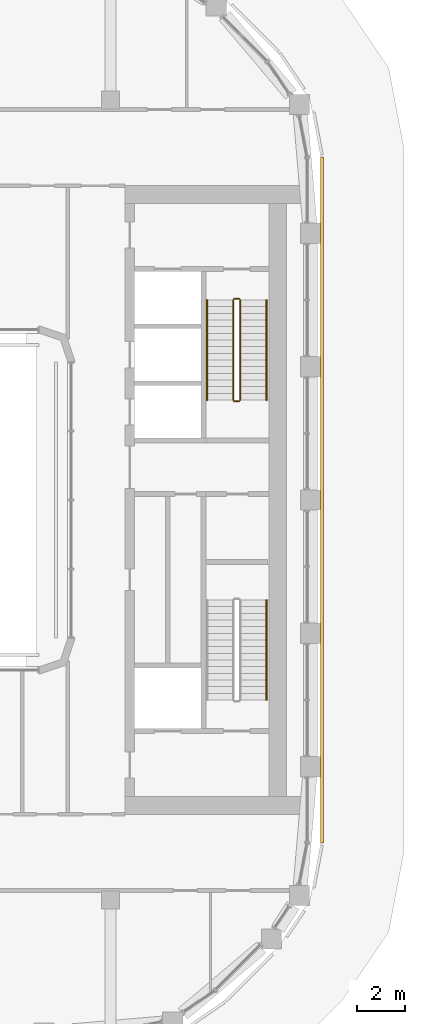
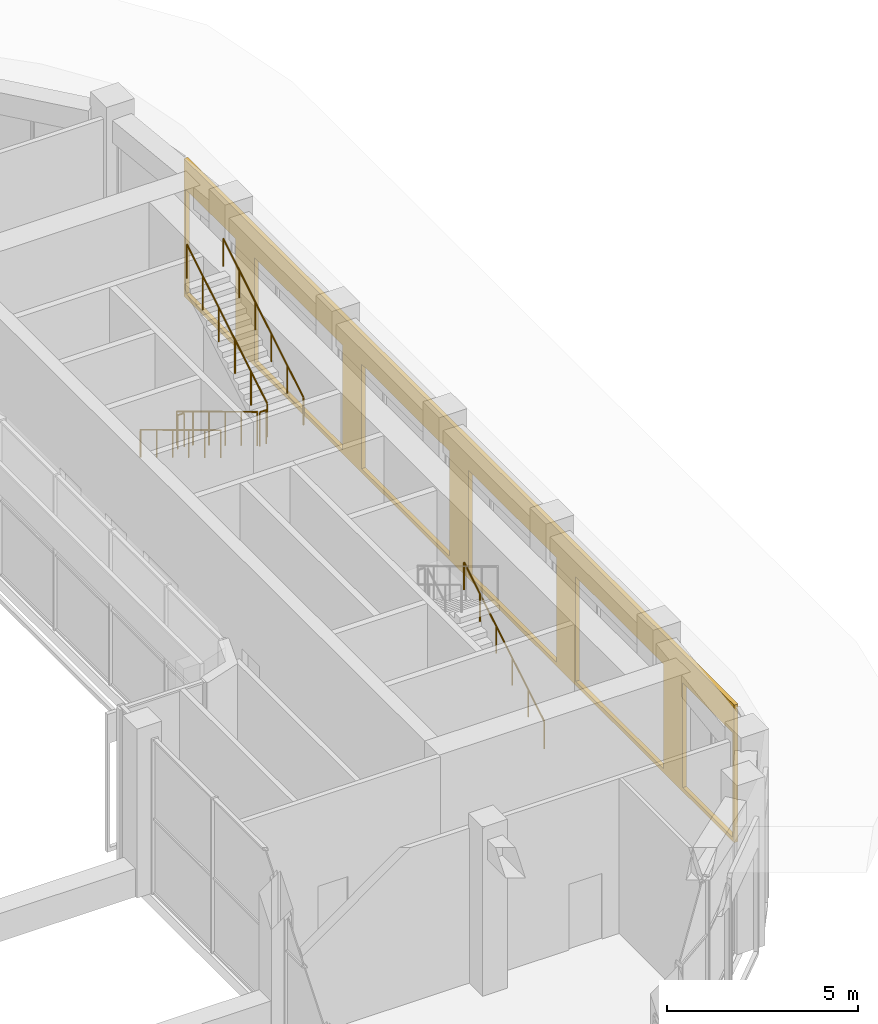
# One storey, part 25 of 26: 7 railings, 1 covering.
"""IFC4 building model written with IfcOpenShell, lengths in metres."""

from ifc_helpers import new_model, si_unit, direction, frame, origin, origin_2d, place, context, subcontext, project, spatial, polyline, circle, outline, extrude, material, layer, layer_set, type_object, element, save


model = new_model("IFC4")

# Units and contexts
model_context = context("Model", 3, precision=1e-05, world=origin(), true_north=direction((0.0, 1.0)))
body_context = subcontext(model_context, "Body", "Model", "MODEL_VIEW")
ifc_project = project(units=[si_unit("LENGTHUNIT", "METRE"), si_unit("AREAUNIT", "SQUARE_METRE"), si_unit("VOLUMEUNIT", "CUBIC_METRE"), si_unit("PLANEANGLEUNIT", "RADIAN"), si_unit("MASSUNIT", "GRAM", prefix="KILO")], contexts=[model_context])

# Site, building, storey
site_placement = place(None, origin())
site = spatial("IfcSite", under=ifc_project, at=site_placement, CompositionType="ELEMENT")
building_placement = place(site_placement, origin())
building = spatial("IfcBuilding", under=site, at=building_placement, Name="Kiln Ring Residences", CompositionType="ELEMENT")
storey_placement = place(building_placement, frame((0.0, 0.0, 230.89990234375)))
storey = spatial("IfcBuildingStorey", under=building, at=storey_placement, Name="L60", CompositionType="ELEMENT", Elevation=230.89990234375)

# Railings
ifc_material_1 = material(Name="Stainless steel", Category="steel")
railing_type_1 = type_object("IfcRailingType", Name="CORE-STAIR-GUARD", PredefinedType="GUARDRAIL", material=ifc_material_1)
railing_1_placement = place(storey_placement, frame((21.949951171875, 8.39990234375, 0.1689453125)))
element("IfcRailing", 1, at=railing_1_placement, inside=storey, type_object=railing_type_1, Name="L60 E-STN stair guard 1", PredefinedType="GUARDRAIL", context=body_context, shape_type="SweptSolid", body=[
    extrude(circle(Radius=0.02392578125, at=origin_2d()), frame((0.0, 0.0, 1.076171875), z_axis=(0.0, -0.856476492594, 0.516186030065), x_axis=(1.0, 0.0, 0.0)), (0.0, 0.0, 1.0), 4.90380859375),
    extrude(circle(Radius=0.02099609375, at=origin_2d()), origin(), (0.0, 0.0, 1.0), 1.052001953125),
    extrude(circle(Radius=0.02099609375, at=origin_2d()), frame((0.0, -0.840087890625, 0.50634765625)), (0.0, 0.0, 1.0), 1.052001953125),
    extrude(circle(Radius=0.02099609375, at=origin_2d()), frame((0.0, -1.679931640625, 1.012451171875)), (0.0, 0.0, 1.0), 1.052001953125),
    extrude(circle(Radius=0.02099609375, at=origin_2d()), frame((0.0, -2.52001953125, 1.518798828125)), (0.0, 0.0, 1.0), 1.052001953125),
    extrude(circle(Radius=0.02099609375, at=origin_2d()), frame((0.0, -3.35986328125, 2.02490234375)), (0.0, 0.0, 1.0), 1.052001953125),
    extrude(circle(Radius=0.02099609375, at=origin_2d()), frame((0.0, -4.199951171875, 2.53125)), (0.0, 0.0, 1.0), 1.052001953125),
])
railing_2_placement = place(storey_placement, frame((22.0, 4.14990234375, 2.7001953125)))
element("IfcRailing", 2, at=railing_2_placement, inside=storey, type_object=railing_type_1, Name="L60 E-STN stair guard 2", PredefinedType="GUARDRAIL", context=body_context, shape_type="SweptSolid", body=[
    extrude(circle(Radius=0.02392578125, at=origin_2d()), frame((0.0, 0.0, 1.076171875), z_axis=(1.0, 0.0, 0.0), x_axis=(0.0, 1.0, 0.0)), (0.0, 0.0, 1.0), 0.199951171875),
    extrude(circle(Radius=0.02099609375, at=origin_2d()), origin(), (0.0, 0.0, 1.0), 1.052001953125),
    extrude(circle(Radius=0.02099609375, at=origin_2d()), frame((0.199951171875, 0.0, 0.0)), (0.0, 0.0, 1.0), 1.052001953125),
])
railing_3_placement = place(storey_placement, frame((22.25, 4.199951171875, 2.868896484375)))
element("IfcRailing", 3, at=railing_3_placement, inside=storey, type_object=railing_type_1, Name="L60 E-STN stair guard 3", PredefinedType="GUARDRAIL", context=body_context, shape_type="SweptSolid", body=[
    extrude(circle(Radius=0.02392578125, at=origin_2d()), frame((0.0, 0.0, 1.076171875), z_axis=(0.0, 0.856476492594, 0.516186030065), x_axis=(-1.0, 0.0, 0.0)), (0.0, 0.0, 1.0), 4.90380859375),
    extrude(circle(Radius=0.02099609375, at=origin_2d()), origin(), (0.0, 0.0, 1.0), 1.052001953125),
    extrude(circle(Radius=0.02099609375, at=origin_2d()), frame((0.0, 0.840087890625, 0.50634765625)), (0.0, 0.0, 1.0), 1.052001953125),
    extrude(circle(Radius=0.02099609375, at=origin_2d()), frame((0.0, 1.679931640625, 1.012451171875)), (0.0, 0.0, 1.0), 1.052001953125),
    extrude(circle(Radius=0.02099609375, at=origin_2d()), frame((0.0, 2.52001953125, 1.518798828125)), (0.0, 0.0, 1.0), 1.052001953125),
    extrude(circle(Radius=0.02099609375, at=origin_2d()), frame((0.0, 3.35986328125, 2.02490234375)), (0.0, 0.0, 1.0), 1.052001953125),
    extrude(circle(Radius=0.02099609375, at=origin_2d()), frame((0.0, 4.199951171875, 2.53125)), (0.0, 0.0, 1.0), 1.052001953125),
])
railing_4_placement = place(storey_placement, frame((22.0, 8.449951171875, 0.0)))
element("IfcRailing", 4, at=railing_4_placement, inside=storey, type_object=railing_type_1, Name="L60 E-STN stair guard 4", PredefinedType="GUARDRAIL", context=body_context, shape_type="SweptSolid", body=[
    extrude(circle(Radius=0.02392578125, at=origin_2d()), frame((0.0, 0.0, 1.076171875), z_axis=(1.0, 0.0, 0.0), x_axis=(0.0, 1.0, 0.0)), (0.0, 0.0, 1.0), 0.199951171875),
    extrude(circle(Radius=0.02099609375, at=origin_2d()), origin(), (0.0, 0.0, 1.0), 1.052001953125),
    extrude(circle(Radius=0.02099609375, at=origin_2d()), frame((0.199951171875, 0.0, 0.0)), (0.0, 0.0, 1.0), 1.052001953125),
])
ifc_material_2 = material(Name="Stainless steel", Category="steel")
railing_type_2 = type_object("IfcRailingType", Name="CORE-STAIR-HANDRAIL", PredefinedType="HANDRAIL", material=ifc_material_2)
railing_5_placement = place(storey_placement, frame((20.85009765625, 8.39990234375, 0.1689453125)))
element("IfcRailing", 5, at=railing_5_placement, inside=storey, type_object=railing_type_2, Name="L60 E-STN stair handrail 1", PredefinedType="HANDRAIL", context=body_context, shape_type="SweptSolid", body=[
    extrude(circle(Radius=0.02392578125, at=origin_2d()), frame((0.0, 0.0, 0.8759765625), z_axis=(0.0, -0.856476492594, 0.516186030065), x_axis=(1.0, 0.0, 0.0)), (0.0, 0.0, 1.0), 4.90380859375),
    extrude(circle(Radius=0.02099609375, at=origin_2d()), origin(), (0.0, 0.0, 1.0), 0.851806640625),
    extrude(circle(Radius=0.02099609375, at=origin_2d()), frame((0.0, -0.840087890625, 0.50634765625)), (0.0, 0.0, 1.0), 0.851806640625),
    extrude(circle(Radius=0.02099609375, at=origin_2d()), frame((0.0, -1.679931640625, 1.012451171875)), (0.0, 0.0, 1.0), 0.851806640625),
    extrude(circle(Radius=0.02099609375, at=origin_2d()), frame((0.0, -2.52001953125, 1.518798828125)), (0.0, 0.0, 1.0), 0.851806640625),
    extrude(circle(Radius=0.02099609375, at=origin_2d()), frame((0.0, -3.35986328125, 2.02490234375)), (0.0, 0.0, 1.0), 0.851806640625),
    extrude(circle(Radius=0.02099609375, at=origin_2d()), frame((0.0, -4.199951171875, 2.53125)), (0.0, 0.0, 1.0), 0.851806640625),
])
for number, where, name in (
    (6, (23.35009765625, 4.199951171875, 2.868896484375), "L60 E-STN stair handrail 2"),
    (7, (23.35009765625, -8.39990234375, 0.1689453125), "L60 E-STS stair handrail 1"),
):
    element("IfcRailing", number, at=place(storey_placement, frame(where)), inside=storey, type_object=railing_type_2, Name=name, PredefinedType="HANDRAIL", context=body_context, shape_type="SweptSolid", body=[
        extrude(circle(Radius=0.02392578125, at=origin_2d()), frame((0.0, 0.0, 0.8759765625), z_axis=(0.0, 0.856476492594, 0.516186030065), x_axis=(-1.0, 0.0, 0.0)), (0.0, 0.0, 1.0), 4.90380859375),
        extrude(circle(Radius=0.02099609375, at=origin_2d()), origin(), (0.0, 0.0, 1.0), 0.851806640625),
        extrude(circle(Radius=0.02099609375, at=origin_2d()), frame((0.0, 0.840087890625, 0.50634765625)), (0.0, 0.0, 1.0), 0.851806640625),
        extrude(circle(Radius=0.02099609375, at=origin_2d()), frame((0.0, 1.679931640625, 1.012451171875)), (0.0, 0.0, 1.0), 0.851806640625),
        extrude(circle(Radius=0.02099609375, at=origin_2d()), frame((0.0, 2.52001953125, 1.518798828125)), (0.0, 0.0, 1.0), 0.851806640625),
        extrude(circle(Radius=0.02099609375, at=origin_2d()), frame((0.0, 3.35986328125, 2.02490234375)), (0.0, 0.0, 1.0), 0.851806640625),
        extrude(circle(Radius=0.02099609375, at=origin_2d()), frame((0.0, 4.199951171875, 2.53125)), (0.0, 0.0, 1.0), 0.851806640625),
    ])

# Covering
ifc_material_3 = material(Name="Brick masonry, dark clay brick", Category="masonry")
ifc_layer = layer(ifc_material_3, 0.1201171875)
ifc_layer_set = layer_set([ifc_layer], Name="RAINSCREEN PANEL 120")
covering_type = type_object("IfcCoveringType", Name="RAINSCREEN PANEL 120", PredefinedType="CLADDING", material=ifc_layer_set)
covering_placement = place(storey_placement, frame((25.68505859375, -14.39990234375, 0.0), z_axis=(0.0, 0.0, 1.0), x_axis=(0.0, 1.0, 0.0)))
element("IfcCovering", 8, at=covering_placement, inside=storey, type_object=covering_type, Name="RAINSCREEN L60", PredefinedType="CLADDING", context=body_context, shape_type="SweptSolid", body=[
    extrude(outline(polyline([(0.0, 0.0), (28.800048828125, 0.0), (28.800048828125, 4.400146484375), (0.0, 4.400146484375), (0.0, 0.0)]), holes=[polyline([(2.695068359375, 0.130126953125), (2.695068359375, 3.47021484375), (0.080078125, 3.47021484375), (0.080078125, 0.130126953125), (2.695068359375, 0.130126953125)]), polyline([(3.705078125, 0.130126953125), (8.294921875, 0.130126953125), (8.294921875, 3.47021484375), (3.705078125, 3.47021484375), (3.705078125, 0.130126953125)]), polyline([(9.304931640625, 0.130126953125), (13.89501953125, 0.130126953125), (13.89501953125, 3.47021484375), (9.304931640625, 3.47021484375), (9.304931640625, 0.130126953125)]), polyline([(19.4951171875, 0.130126953125), (19.4951171875, 3.47021484375), (14.905029296875, 3.47021484375), (14.905029296875, 0.130126953125), (19.4951171875, 0.130126953125)]), polyline([(20.5048828125, 0.130126953125), (25.094970703125, 0.130126953125), (25.094970703125, 3.47021484375), (20.5048828125, 3.47021484375), (20.5048828125, 0.130126953125)]), polyline([(26.10498046875, 0.130126953125), (28.719970703125, 0.130126953125), (28.719970703125, 3.47021484375), (26.10498046875, 3.47021484375), (26.10498046875, 0.130126953125)])]), frame((0.0, 0.06005859375, 0.0), z_axis=(0.0, -1.0, 0.0), x_axis=(1.0, 0.0, 0.0)), (0.0, 0.0, 1.0), 0.1201171875),
])

save(model, "model.ifc")
